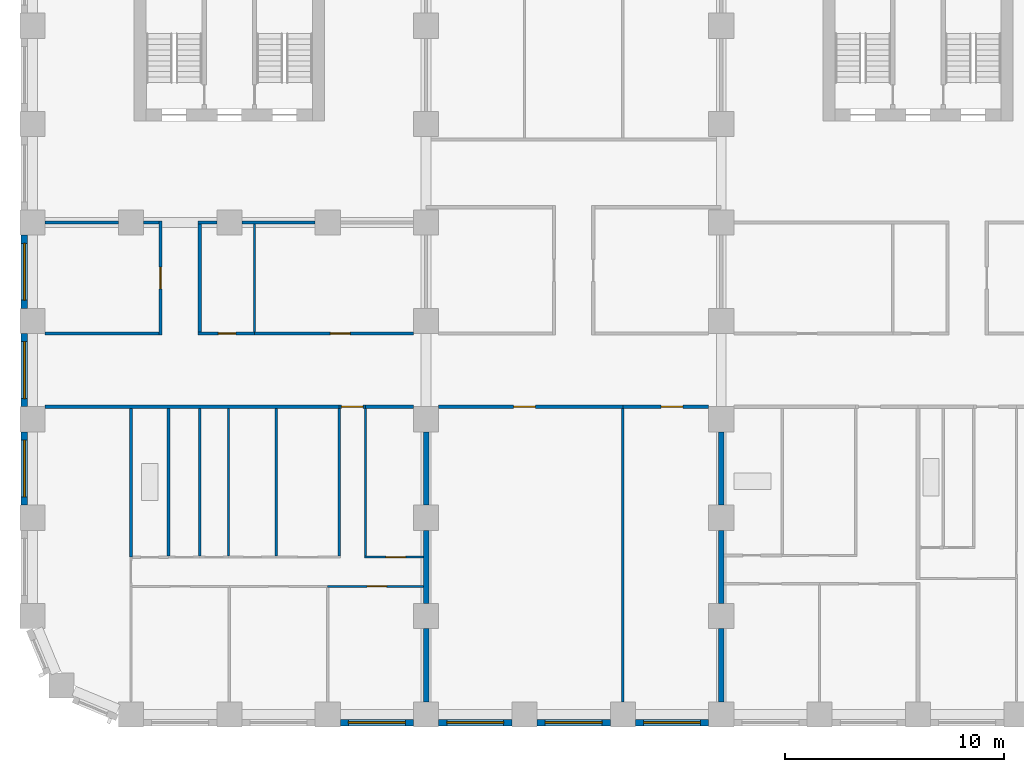
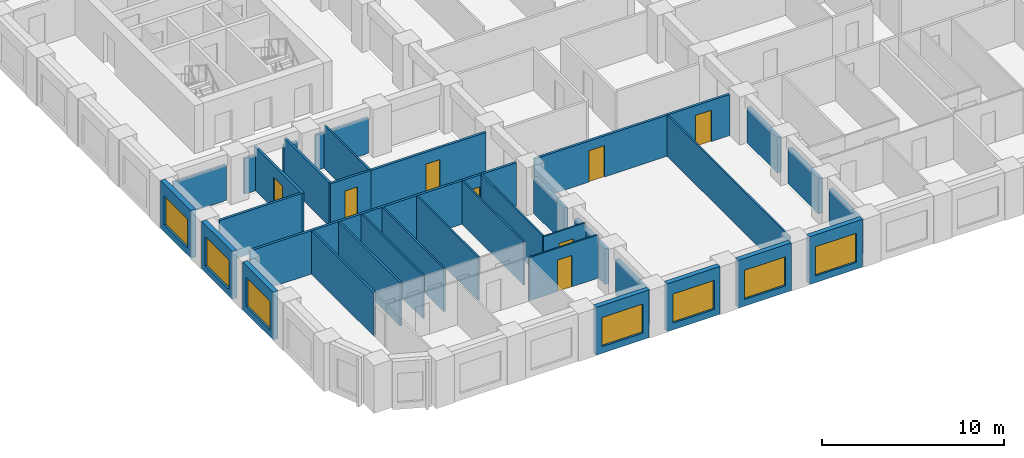
# One storey, part 3 of 13: 38 walls, 8 doors, 7 windows, 15 openings.
"""IFC4 building model written with IfcOpenShell, lengths in metres."""

from ifc_helpers import new_model, si_unit, direction, frame, frame_2d, origin, place, context, subcontext, project, spatial, rectangle, extrude, material, layer, layer_set, type_object, element, fill, save


model = new_model("IFC4")

# Units and contexts
model_context = context("Model", 3, precision=1e-05, world=origin(), true_north=direction((0.0, 1.0)))
body_context = subcontext(model_context, "Body", "Model", "MODEL_VIEW")
ifc_project = project(units=[si_unit("LENGTHUNIT", "METRE"), si_unit("AREAUNIT", "SQUARE_METRE"), si_unit("VOLUMEUNIT", "CUBIC_METRE"), si_unit("PLANEANGLEUNIT", "RADIAN"), si_unit("MASSUNIT", "GRAM", prefix="KILO")], contexts=[model_context])

# Site, building, storey
site_placement = place(None, origin())
site = spatial("IfcSite", under=ifc_project, at=site_placement, CompositionType="ELEMENT")
building_placement = place(site_placement, origin())
building = spatial("IfcBuilding", under=site, at=building_placement, Name="Girih Gate Residences", CompositionType="ELEMENT")
storey_placement = place(building_placement, frame((0.0, 0.0, 99.199951171875)))
storey = spatial("IfcBuildingStorey", under=building, at=storey_placement, Name="L27", CompositionType="ELEMENT", Elevation=99.199951171875)

# Walls
ifc_material_1 = material(Name="Gypsum board on steel studs", Category="steel")
ifc_layer_1 = layer(ifc_material_1, 0.25)
ifc_layer_set_1 = layer_set([ifc_layer_1], Name="Acoustic separating wall 250 mm")
wall_type_1 = type_object("IfcWallType", Name="Acoustic separating wall 250 mm", PredefinedType="PARTITIONING", material=ifc_layer_set_1)
for number, where, z_axis, x_axis, name in (
    (1, (18.0, 5.074951171875, 0.0), (0.0, 0.0, 1.0), (0.0, 1.0, 0.0), "L27 partition"),
    (2, (18.0, 0.574951171875, 0.0), (0.0, 0.0, 1.0), (0.0, 1.0, 0.0), "L27 partition"),
    (3, (18.0, 9.574951171875, 0.0), (0.0, 0.0, 1.0), (0.0, 1.0, 0.0), "L27 partition"),
    (4, (31.5, 9.574951171875, 0.0), (0.0, 0.0, 1.0), (0.0, 1.0, 0.0), "L27 partition"),
    (5, (31.5, 0.574951171875, 0.0), (0.0, 0.0, 1.0), (0.0, 1.0, 0.0), "L27 partition"),
    (6, (31.5, 5.074951171875, 0.0), (0.0, 0.0, 1.0), (0.0, 1.0, 0.0), "L27 partition"),
):
    element("IfcWall", number, at=place(storey_placement, frame(where, z_axis=z_axis, x_axis=x_axis)), inside=storey, type_object=wall_type_1, Name=name, PredefinedType="PARTITIONING", context=body_context, shape_type="SweptSolid", body=[
        extrude(rectangle(XDim=3.35009765625, YDim=0.25, at=frame_2d((1.675048828125, 0.0))), origin(), (0.0, 0.0, 1.0), 2.380126953125),
    ])

# Wall, opening, door
ifc_layer_2 = layer(ifc_material_1, 0.14990234375)
ifc_layer_set_2 = layer_set([ifc_layer_2], Name="Compartment wall 150 mm")
wall_type_2 = type_object("IfcWallType", Name="Compartment wall 150 mm", PredefinedType="PARTITIONING", material=ifc_layer_set_2)
wall_1_placement = place(storey_placement, frame((15.22509765625, 14.074951171875, 0.0), z_axis=(0.0, 0.0, 1.0), x_axis=(-1.0, 0.0, 0.0)))
wall_1 = element("IfcWall", 7, at=wall_1_placement, inside=storey, type_object=wall_type_2, Name="L27 partition", PredefinedType="PARTITIONING", context=body_context, shape_type="SweptSolid", body=[
    extrude(rectangle(XDim=1.2001953125, YDim=0.14990234375, at=frame_2d((0.60009765625, 0.0))), origin(), (0.0, 0.0, 1.0), 2.900146484375),
])
opening_1_placement = place(wall_1_placement, frame((0.10009765625, 0.0, 0.0)))
opening_1 = element("IfcOpeningElement", 8, at=opening_1_placement, cuts=wall_1, Name="Opening A27-011", PredefinedType="OPENING", context=body_context, shape_type="SweptSolid", body=[
    extrude(rectangle(XDim=1.0, YDim=2.10009765625, at=frame_2d((0.5, 1.050048828125))), frame((0.0, 0.0849609375, 0.0), z_axis=(0.0, -1.0, 0.0), x_axis=(1.0, 0.0, 0.0)), (0.0, 0.0, 1.0), 0.169921875),
])
ifc_material_2 = material(Name="Timber, fire-rated core", Category="wood")
door_type_1 = type_object("IfcDoorType", Name="Flat entrance door 1000x2100 FD30S", OperationType="NOTDEFINED", PredefinedType="DOOR", material=ifc_material_2)
door_1_placement = place(opening_1_placement, origin())
door_1 = element("IfcDoor", 9, at=door_1_placement, inside=storey, type_object=door_type_1, Name="Door A27-011", OperationType="SINGLE_SWING_RIGHT", OverallHeight=2.10009765625, OverallWidth=1.0, PredefinedType="DOOR", context=body_context, shape_type="SweptSolid", body=[
    extrude(rectangle(XDim=1.0, YDim=2.10009765625, at=frame_2d((0.5, 1.050048828125))), frame((0.0, 0.02490234375, 0.0), z_axis=(0.0, -1.0, 0.0), x_axis=(1.0, 0.0, 0.0)), (0.0, 0.0, 1.0), 0.050048828125),
])
fill(opening_1, door_1)

# Walls
wall_2_placement = place(storey_placement, frame((15.22509765625, 14.074951171875, 0.0), z_axis=(0.0, 0.0, 1.0), x_axis=(1.0, 0.0, 0.0)))
element("IfcWall", 10, at=wall_2_placement, inside=storey, type_object=wall_type_2, Name="L27 partition", PredefinedType="PARTITIONING", context=body_context, shape_type="SweptSolid", body=[
    extrude(rectangle(XDim=2.199951171875, YDim=0.14990234375, at=frame_2d((1.10009765625, 0.0))), origin(), (0.0, 0.0, 1.0), 2.900146484375),
])
wall_3_placement = place(storey_placement, frame((0.574951171875, 14.074951171875, 0.0), z_axis=(0.0, 0.0, 1.0), x_axis=(1.0, 0.0, 0.0)))
element("IfcWall", 11, at=wall_3_placement, inside=storey, type_object=wall_type_2, Name="L27 partition", PredefinedType="PARTITIONING", context=body_context, shape_type="SweptSolid", body=[
    extrude(rectangle(XDim=13.449951171875, YDim=0.14990234375, at=frame_2d((6.72509765625, 0.0))), origin(), (0.0, 0.0, 1.0), 2.900146484375),
])

# Wall, opening, door
wall_4_placement = place(storey_placement, frame((27.0, 14.074951171875, 0.0), z_axis=(0.0, 0.0, 1.0), x_axis=(-1.0, 0.0, 0.0)))
wall_4 = element("IfcWall", 12, at=wall_4_placement, inside=storey, type_object=wall_type_2, Name="L27 partition", PredefinedType="PARTITIONING", context=body_context, shape_type="SweptSolid", body=[
    extrude(rectangle(XDim=8.425048828125, YDim=0.14990234375, at=frame_2d((4.21240234375, 0.0))), origin(), (0.0, 0.0, 1.0), 2.75),
])
opening_2_placement = place(wall_4_placement, frame((4.0, 0.0, 0.0)))
opening_2 = element("IfcOpeningElement", 13, at=opening_2_placement, cuts=wall_4, Name="Opening A27-046", PredefinedType="OPENING", context=body_context, shape_type="SweptSolid", body=[
    extrude(rectangle(XDim=1.0, YDim=2.10009765625, at=frame_2d((0.5, 1.050048828125))), frame((0.0, 0.0849609375, 0.0), z_axis=(0.0, -1.0, 0.0), x_axis=(1.0, 0.0, 0.0)), (0.0, 0.0, 1.0), 0.169921875),
])
door_type_2 = type_object("IfcDoorType", Name="Amenity room door 1000x2100 FD30S", OperationType="NOTDEFINED", PredefinedType="DOOR", material=ifc_material_2)
door_2_placement = place(opening_2_placement, origin())
door_2 = element("IfcDoor", 14, at=door_2_placement, inside=storey, type_object=door_type_2, Name="Door A27-046", OperationType="SINGLE_SWING_RIGHT", OverallHeight=2.10009765625, OverallWidth=1.0, PredefinedType="DOOR", context=body_context, shape_type="SweptSolid", body=[
    extrude(rectangle(XDim=1.0, YDim=2.10009765625, at=frame_2d((0.5, 1.050048828125))), frame((0.0, 0.02490234375, 0.0), z_axis=(0.0, -1.0, 0.0), x_axis=(1.0, 0.0, 0.0)), (0.0, 0.0, 1.0), 0.050048828125),
])
fill(opening_2, door_2)

wall_5_placement = place(storey_placement, frame((30.925048828125, 14.074951171875, 0.0), z_axis=(0.0, 0.0, 1.0), x_axis=(-1.0, 0.0, 0.0)))
wall_5 = element("IfcWall", 15, at=wall_5_placement, inside=storey, type_object=wall_type_2, Name="L27 partition", PredefinedType="PARTITIONING", context=body_context, shape_type="SweptSolid", body=[
    extrude(rectangle(XDim=3.925048828125, YDim=0.14990234375, at=frame_2d((1.96240234375, 0.0))), origin(), (0.0, 0.0, 1.0), 2.75),
])
opening_3_placement = place(wall_5_placement, frame((1.175048828125, 0.0, 0.0)))
opening_3 = element("IfcOpeningElement", 16, at=opening_3_placement, cuts=wall_5, Name="Opening A27-047", PredefinedType="OPENING", context=body_context, shape_type="SweptSolid", body=[
    extrude(rectangle(XDim=1.0, YDim=2.10009765625, at=frame_2d((0.5, 1.050048828125))), frame((0.0, 0.0849609375, 0.0), z_axis=(0.0, -1.0, 0.0), x_axis=(1.0, 0.0, 0.0)), (0.0, 0.0, 1.0), 0.169921875),
])
door_3_placement = place(opening_3_placement, origin())
door_3 = element("IfcDoor", 17, at=door_3_placement, inside=storey, type_object=door_type_2, Name="Door A27-047", OperationType="SINGLE_SWING_LEFT", OverallHeight=2.10009765625, OverallWidth=1.0, PredefinedType="DOOR", context=body_context, shape_type="SweptSolid", body=[
    extrude(rectangle(XDim=1.0, YDim=2.10009765625, at=frame_2d((0.5, 1.050048828125))), frame((0.0, 0.02490234375, 0.0), z_axis=(0.0, -1.0, 0.0), x_axis=(1.0, 0.0, 0.0)), (0.0, 0.0, 1.0), 0.050048828125),
])
fill(opening_3, door_3)

wall_6_placement = place(storey_placement, frame((10.14990234375, 17.425048828125, 0.0), z_axis=(0.0, 0.0, 1.0), x_axis=(1.0, 0.0, 0.0)))
wall_6 = element("IfcWall", 18, at=wall_6_placement, inside=storey, type_object=wall_type_2, Name="L27 partition", PredefinedType="PARTITIONING", context=body_context, shape_type="SweptSolid", body=[
    extrude(rectangle(XDim=7.275146484375, YDim=0.14990234375, at=frame_2d((3.6376953125, 0.0))), origin(), (0.0, 0.0, 1.0), 2.900146484375),
])
opening_4_placement = place(wall_6_placement, frame((3.47509765625, 0.0, 0.0)))
opening_4 = element("IfcOpeningElement", 19, at=opening_4_placement, cuts=wall_6, Name="Opening A27-051", PredefinedType="OPENING", context=body_context, shape_type="SweptSolid", body=[
    extrude(rectangle(XDim=0.89990234375, YDim=2.10009765625, at=frame_2d((0.449951171875, 1.050048828125))), frame((0.0, 0.0849609375, 0.0), z_axis=(0.0, -1.0, 0.0), x_axis=(1.0, 0.0, 0.0)), (0.0, 0.0, 1.0), 0.169921875),
])
ifc_material_3 = material(Name="Timber", Category="wood")
door_type_3 = type_object("IfcDoorType", Name="Service room door 900x2100", OperationType="NOTDEFINED", PredefinedType="DOOR", material=ifc_material_3)
door_4_placement = place(opening_4_placement, origin())
door_4 = element("IfcDoor", 20, at=door_4_placement, inside=storey, type_object=door_type_3, Name="Door A27-051", OperationType="SINGLE_SWING_RIGHT", OverallHeight=2.10009765625, OverallWidth=0.89990234375, PredefinedType="DOOR", context=body_context, shape_type="SweptSolid", body=[
    extrude(rectangle(XDim=0.89990234375, YDim=2.10009765625, at=frame_2d((0.449951171875, 1.050048828125))), frame((0.0, 0.02490234375, 0.0), z_axis=(0.0, -1.0, 0.0), x_axis=(1.0, 0.0, 0.0)), (0.0, 0.0, 1.0), 0.050048828125),
])
fill(opening_4, door_4)

wall_7_placement = place(storey_placement, frame((7.574951171875, 17.425048828125, 0.0), z_axis=(0.0, 0.0, 1.0), x_axis=(1.0, 0.0, 0.0)))
wall_7 = element("IfcWall", 21, at=wall_7_placement, inside=storey, type_object=wall_type_2, Name="L27 partition", PredefinedType="PARTITIONING", context=body_context, shape_type="SweptSolid", body=[
    extrude(rectangle(XDim=2.574951171875, YDim=0.14990234375, at=frame_2d((1.28759765625, 0.0))), origin(), (0.0, 0.0, 1.0), 2.900146484375),
])
opening_5_placement = place(wall_7_placement, frame((0.925048828125, 0.0, 0.0)))
opening_5 = element("IfcOpeningElement", 22, at=opening_5_placement, cuts=wall_7, Name="Opening A27-053", PredefinedType="OPENING", context=body_context, shape_type="SweptSolid", body=[
    extrude(rectangle(XDim=0.800048828125, YDim=2.10009765625, at=frame_2d((0.39990234375, 1.050048828125))), frame((0.0, 0.0849609375, 0.0), z_axis=(0.0, -1.0, 0.0), x_axis=(1.0, 0.0, 0.0)), (0.0, 0.0, 1.0), 0.169921875),
])
door_type_4 = type_object("IfcDoorType", Name="Bathroom door 800x2100", OperationType="NOTDEFINED", PredefinedType="DOOR", material=ifc_material_3)
door_5_placement = place(opening_5_placement, origin())
door_5 = element("IfcDoor", 23, at=door_5_placement, inside=storey, type_object=door_type_4, Name="Door A27-053", OperationType="SINGLE_SWING_RIGHT", OverallHeight=2.10009765625, OverallWidth=0.800048828125, PredefinedType="DOOR", context=body_context, shape_type="SweptSolid", body=[
    extrude(rectangle(XDim=0.800048828125, YDim=2.10009765625, at=frame_2d((0.39990234375, 1.050048828125))), frame((0.0, 0.02490234375, 0.0), z_axis=(0.0, -1.0, 0.0), x_axis=(1.0, 0.0, 0.0)), (0.0, 0.0, 1.0), 0.050048828125),
])
fill(opening_5, door_5)

# Walls
wall_8_placement = place(storey_placement, frame((0.574951171875, 17.425048828125, 0.0), z_axis=(0.0, 0.0, 1.0), x_axis=(1.0, 0.0, 0.0)))
element("IfcWall", 24, at=wall_8_placement, inside=storey, type_object=wall_type_2, Name="L27 partition", PredefinedType="PARTITIONING", context=body_context, shape_type="SweptSolid", body=[
    extrude(rectangle(XDim=5.199951171875, YDim=0.14990234375, at=frame_2d((2.60009765625, 0.0))), origin(), (0.0, 0.0, 1.0), 2.900146484375),
])
wall_9_placement = place(storey_placement, frame((9.574951171875, 22.5, 0.0), z_axis=(0.0, 0.0, 1.0), x_axis=(1.0, 0.0, 0.0)))
element("IfcWall", 25, at=wall_9_placement, inside=storey, type_object=wall_type_2, Name="L27 partition", PredefinedType="PARTITIONING", context=body_context, shape_type="SweptSolid", body=[
    extrude(rectangle(XDim=3.35009765625, YDim=0.14990234375, at=frame_2d((1.675048828125, 0.0))), origin(), (0.0, 0.0, 1.0), 2.380126953125),
])
wall_10_placement = place(storey_placement, frame((7.574951171875, 22.5, 0.0), z_axis=(0.0, 0.0, 1.0), x_axis=(1.0, 0.0, 0.0)))
element("IfcWall", 26, at=wall_10_placement, inside=storey, type_object=wall_type_2, Name="L27 partition", PredefinedType="PARTITIONING", context=body_context, shape_type="SweptSolid", body=[
    extrude(rectangle(XDim=0.85009765625, YDim=0.14990234375, at=frame_2d((0.425048828125, 0.0))), origin(), (0.0, 0.0, 1.0), 2.380126953125),
])
wall_11_placement = place(storey_placement, frame((5.074951171875, 22.5, 0.0), z_axis=(0.0, 0.0, 1.0), x_axis=(1.0, 0.0, 0.0)))
element("IfcWall", 27, at=wall_11_placement, inside=storey, type_object=wall_type_2, Name="L27 partition", PredefinedType="PARTITIONING", context=body_context, shape_type="SweptSolid", body=[
    extrude(rectangle(XDim=0.699951171875, YDim=0.14990234375, at=frame_2d((0.35009765625, 0.0))), origin(), (0.0, 0.0, 1.0), 2.380126953125),
])
wall_12_placement = place(storey_placement, frame((0.574951171875, 22.5, 0.0), z_axis=(0.0, 0.0, 1.0), x_axis=(1.0, 0.0, 0.0)))
element("IfcWall", 28, at=wall_12_placement, inside=storey, type_object=wall_type_2, Name="L27 partition", PredefinedType="PARTITIONING", context=body_context, shape_type="SweptSolid", body=[
    extrude(rectangle(XDim=3.35009765625, YDim=0.14990234375, at=frame_2d((1.675048828125, 0.0))), origin(), (0.0, 0.0, 1.0), 2.380126953125),
])
wall_13_placement = place(storey_placement, frame((7.64990234375, 17.5, 0.0), z_axis=(0.0, 0.0, 1.0), x_axis=(0.0, 1.0, 0.0)))
element("IfcWall", 29, at=wall_13_placement, inside=storey, type_object=wall_type_2, Name="L27 partition", PredefinedType="PARTITIONING", context=body_context, shape_type="SweptSolid", body=[
    extrude(rectangle(XDim=4.925048828125, YDim=0.14990234375, at=frame_2d((2.46240234375, 0.0))), origin(), (0.0, 0.0, 1.0), 2.900146484375),
])

# Wall, opening, door
wall_14_placement = place(storey_placement, frame((5.85009765625, 17.35009765625, 0.0), z_axis=(0.0, 0.0, 1.0), x_axis=(0.0, 1.0, 0.0)))
wall_14 = element("IfcWall", 30, at=wall_14_placement, inside=storey, type_object=wall_type_2, Name="L27 partition", PredefinedType="PARTITIONING", context=body_context, shape_type="SweptSolid", body=[
    extrude(rectangle(XDim=5.224853515625, YDim=0.14990234375, at=frame_2d((2.6123046875, 0.0))), origin(), (0.0, 0.0, 1.0), 2.900146484375),
])
opening_6_placement = place(wall_14_placement, frame((2.112548828125, 0.0, 0.0)))
opening_6 = element("IfcOpeningElement", 31, at=opening_6_placement, cuts=wall_14, Name="Opening A27-055", PredefinedType="OPENING", context=body_context, shape_type="SweptSolid", body=[
    extrude(rectangle(XDim=1.0, YDim=2.10009765625, at=frame_2d((0.5, 1.050048828125))), frame((0.0, 0.0849609375, 0.0), z_axis=(0.0, -1.0, 0.0), x_axis=(1.0, 0.0, 0.0)), (0.0, 0.0, 1.0), 0.169921875),
])
door_6_placement = place(opening_6_placement, origin())
door_6 = element("IfcDoor", 32, at=door_6_placement, inside=storey, type_object=door_type_2, Name="Door A27-055", OperationType="SINGLE_SWING_LEFT", OverallHeight=2.10009765625, OverallWidth=1.0, PredefinedType="DOOR", context=body_context, shape_type="SweptSolid", body=[
    extrude(rectangle(XDim=1.0, YDim=2.10009765625, at=frame_2d((0.5, 1.050048828125))), frame((0.0, 0.02490234375, 0.0), z_axis=(0.0, -1.0, 0.0), x_axis=(1.0, 0.0, 0.0)), (0.0, 0.0, 1.0), 0.050048828125),
])
fill(opening_6, door_6)

ifc_layer_3 = layer(ifc_material_1, 0.10009765625)
ifc_layer_set_3 = layer_set([ifc_layer_3], Name="Partition 100 mm")
wall_type_3 = type_object("IfcWallType", Name="Partition 100 mm", PredefinedType="PARTITIONING", material=ifc_layer_set_3)
wall_15_placement = place(storey_placement, frame((17.875, 5.85498046875, 0.0), z_axis=(0.0, 0.0, 1.0), x_axis=(-1.0, 0.0, 0.0)))
wall_15 = element("IfcWall", 33, at=wall_15_placement, inside=storey, type_object=wall_type_3, Name="L27 partition", PredefinedType="PARTITIONING", context=body_context, shape_type="SweptSolid", body=[
    extrude(rectangle(XDim=4.375, YDim=0.10009765625, at=frame_2d((2.1875, 0.0))), origin(), (0.0, 0.0, 1.0), 2.900146484375),
])
opening_7_placement = place(wall_15_placement, frame((1.675048828125, 0.0, 0.0)))
opening_7 = element("IfcOpeningElement", 34, at=opening_7_placement, cuts=wall_15, Name="Opening A27-004", PredefinedType="OPENING", context=body_context, shape_type="SweptSolid", body=[
    extrude(rectangle(XDim=0.89990234375, YDim=2.10009765625, at=frame_2d((0.449951171875, 1.050048828125))), frame((0.0, 0.06005859375, 0.0), z_axis=(0.0, -1.0, 0.0), x_axis=(1.0, 0.0, 0.0)), (0.0, 0.0, 1.0), 0.1201171875),
])
door_type_5 = type_object("IfcDoorType", Name="Bedroom door 900x2100", OperationType="NOTDEFINED", PredefinedType="DOOR", material=ifc_material_3)
door_7_placement = place(opening_7_placement, origin())
door_7 = element("IfcDoor", 35, at=door_7_placement, inside=storey, type_object=door_type_5, Name="Door A27-004", OperationType="SINGLE_SWING_LEFT", OverallHeight=2.10009765625, OverallWidth=0.89990234375, PredefinedType="DOOR", context=body_context, shape_type="SweptSolid", body=[
    extrude(rectangle(XDim=0.89990234375, YDim=2.10009765625, at=frame_2d((0.449951171875, 1.050048828125))), frame((0.0, 0.02490234375, 0.0), z_axis=(0.0, -1.0, 0.0), x_axis=(1.0, 0.0, 0.0)), (0.0, 0.0, 1.0), 0.050048828125),
])
fill(opening_7, door_7)

# Walls
for number, where, z_axis, x_axis, name in (
    (36, (8.965087890625, 7.2451171875, 0.0), (0.0, 0.0, 1.0), (0.0, 1.0, 0.0), "L27 partition"),
    (37, (11.14501953125, 7.2451171875, 0.0), (0.0, 0.0, 1.0), (0.0, 1.0, 0.0), "L27 partition"),
    (38, (15.22509765625, 7.2451171875, 0.0), (0.0, 0.0, 1.0), (0.0, 1.0, 0.0), "L27 partition"),
):
    element("IfcWall", number, at=place(storey_placement, frame(where, z_axis=z_axis, x_axis=x_axis)), inside=storey, type_object=wall_type_3, Name=name, PredefinedType="PARTITIONING", context=body_context, shape_type="SweptSolid", body=[
        extrude(rectangle(XDim=6.7548828125, YDim=0.10009765625, at=frame_2d((3.37744140625, 0.0))), origin(), (0.0, 0.0, 1.0), 2.900146484375),
    ])

# Wall, opening, door
wall_16_placement = place(storey_placement, frame((15.175048828125, 7.195068359375, 0.0), z_axis=(0.0, 0.0, 1.0), x_axis=(1.0, 0.0, 0.0)))
wall_16 = element("IfcWall", 39, at=wall_16_placement, inside=storey, type_object=wall_type_3, Name="L27 partition", PredefinedType="PARTITIONING", context=body_context, shape_type="SweptSolid", body=[
    extrude(rectangle(XDim=2.699951171875, YDim=0.10009765625, at=frame_2d((1.35009765625, 0.0))), origin(), (0.0, 0.0, 1.0), 2.900146484375),
])
opening_8_placement = place(wall_16_placement, frame((0.987548828125, 0.0, 0.0)))
opening_8 = element("IfcOpeningElement", 40, at=opening_8_placement, cuts=wall_16, Name="Opening A27-006", PredefinedType="OPENING", context=body_context, shape_type="SweptSolid", body=[
    extrude(rectangle(XDim=0.89990234375, YDim=2.10009765625, at=frame_2d((0.449951171875, 1.050048828125))), frame((0.0, 0.06005859375, 0.0), z_axis=(0.0, -1.0, 0.0), x_axis=(1.0, 0.0, 0.0)), (0.0, 0.0, 1.0), 0.1201171875),
])
door_type_6 = type_object("IfcDoorType", Name="Kitchen door 900x2100", OperationType="NOTDEFINED", PredefinedType="DOOR", material=ifc_material_3)
door_8_placement = place(opening_8_placement, origin())
door_8 = element("IfcDoor", 41, at=door_8_placement, inside=storey, type_object=door_type_6, Name="Door A27-006", OperationType="SINGLE_SWING_RIGHT", OverallHeight=2.10009765625, OverallWidth=0.89990234375, PredefinedType="DOOR", context=body_context, shape_type="SweptSolid", body=[
    extrude(rectangle(XDim=0.89990234375, YDim=2.10009765625, at=frame_2d((0.449951171875, 1.050048828125))), frame((0.0, 0.02490234375, 0.0), z_axis=(0.0, -1.0, 0.0), x_axis=(1.0, 0.0, 0.0)), (0.0, 0.0, 1.0), 0.050048828125),
])
fill(opening_8, door_8)

# Walls
for number, where, z_axis, x_axis, name in (
    (42, (14.02490234375, 7.2451171875, 0.0), (0.0, 0.0, 1.0), (0.0, 1.0, 0.0), "L27 partition"),
    (43, (7.64697265625, 7.2451171875, 0.0), (0.0, 0.0, 1.0), (0.0, 1.0, 0.0), "L27 partition"),
):
    element("IfcWall", number, at=place(storey_placement, frame(where, z_axis=z_axis, x_axis=x_axis)), inside=storey, type_object=wall_type_3, Name=name, PredefinedType="PARTITIONING", context=body_context, shape_type="SweptSolid", body=[
        extrude(rectangle(XDim=6.7548828125, YDim=0.10009765625, at=frame_2d((3.37744140625, 0.0))), origin(), (0.0, 0.0, 1.0), 2.900146484375),
    ])
wall_17_placement = place(storey_placement, frame((27.0, 0.574951171875, 0.0), z_axis=(0.0, 0.0, 1.0), x_axis=(0.0, 1.0, 0.0)))
element("IfcWall", 44, at=wall_17_placement, inside=storey, type_object=wall_type_3, Name="L27 partition", PredefinedType="PARTITIONING", context=body_context, shape_type="SweptSolid", body=[
    extrude(rectangle(XDim=13.425048828125, YDim=0.10009765625, at=frame_2d((6.71240234375, 0.0))), origin(), (0.0, 0.0, 1.0), 2.75),
])
wall_18_placement = place(storey_placement, frame((10.14990234375, 17.5, 0.0), z_axis=(0.0, 0.0, 1.0), x_axis=(0.0, 1.0, 0.0)))
element("IfcWall", 45, at=wall_18_placement, inside=storey, type_object=wall_type_3, Name="L27 partition", PredefinedType="PARTITIONING", context=body_context, shape_type="SweptSolid", body=[
    extrude(rectangle(XDim=4.925048828125, YDim=0.10009765625, at=frame_2d((2.46240234375, 0.0))), origin(), (0.0, 0.0, 1.0), 2.900146484375),
])

# Wall, opening, window
ifc_material_4 = material(Name="Precast concrete C50/60", Category="concrete")
ifc_layer_4 = layer(ifc_material_4, 0.080078125, Name="Outer leaf")
ifc_material_5 = material(Name="Rigid PIR insulation")
ifc_layer_5 = layer(ifc_material_5, 0.14990234375, Name="Insulation")
ifc_material_6 = material(Name="Precast concrete C40/50", Category="concrete")
ifc_layer_6 = layer(ifc_material_6, 0.070068359375, Name="Inner leaf")
ifc_layer_set_4 = layer_set([ifc_layer_4, ifc_layer_5, ifc_layer_6], Name="Precast concrete C50/60 external wall 300")
wall_type_4 = type_object("IfcWallType", Name="Precast concrete C50/60 external wall 300", PredefinedType="SOLIDWALL", material=ifc_layer_set_4)
wall_19_placement = place(storey_placement, frame((17.425048828125, -0.375, 0.0), z_axis=(0.0, 0.0, 1.0), x_axis=(-1.0, 0.0, 0.0)))
wall_19 = element("IfcWall", 46, at=wall_19_placement, inside=storey, type_object=wall_type_4, Name="External wall S0045_0000.2", PredefinedType="SOLIDWALL", context=body_context, shape_type="SweptSolid", body=[
    extrude(rectangle(XDim=3.35009765625, YDim=0.300048828125, at=frame_2d((1.675048828125, 0.0))), origin(), (0.0, 0.0, 1.0), 3.199951171875),
])
opening_9_placement = place(wall_19_placement, frame((0.375, 0.0, 0.449951171875)))
opening_9 = element("IfcOpeningElement", 47, at=opening_9_placement, cuts=wall_19, Name="Opening W-1A", PredefinedType="OPENING", context=body_context, shape_type="SweptSolid", body=[
    extrude(rectangle(XDim=2.60009765625, YDim=1.949951171875, at=frame_2d((1.300048828125, 0.97509765625))), frame((0.0, 0.159912109375, 0.0), z_axis=(0.0, -1.0, 0.0), x_axis=(1.0, 0.0, 0.0)), (0.0, 0.0, 1.0), 0.320068359375),
])
ifc_material_7 = material(Name="Double glazing in aluminium frame", Category="aluminium")
window_type = type_object("IfcWindowType", Name="Window W-1A 2600x1950", PartitioningType="SINGLE_PANEL", PredefinedType="WINDOW", material=ifc_material_7)
window_1_placement = place(opening_9_placement, origin())
window_1 = element("IfcWindow", 48, at=window_1_placement, inside=storey, type_object=window_type, Name="Window W-1A S0045_0000.2", OverallHeight=1.949951171875, OverallWidth=2.60009765625, PartitioningType="SINGLE_PANEL", PredefinedType="WINDOW", context=body_context, shape_type="SweptSolid", body=[
    extrude(rectangle(XDim=2.60009765625, YDim=1.949951171875, at=frame_2d((1.300048828125, 0.97509765625))), frame((0.0, 0.030029296875, 0.0), z_axis=(0.0, -1.0, 0.0), x_axis=(1.0, 0.0, 0.0)), (0.0, 0.0, 1.0), 0.06005859375),
])
fill(opening_9, window_1)

wall_20_placement = place(storey_placement, frame((21.925048828125, -0.375, 0.0), z_axis=(0.0, 0.0, 1.0), x_axis=(-1.0, 0.0, 0.0)))
wall_20 = element("IfcWall", 49, at=wall_20_placement, inside=storey, type_object=wall_type_4, Name="External wall S0045_0000.3", PredefinedType="SOLIDWALL", context=body_context, shape_type="SweptSolid", body=[
    extrude(rectangle(XDim=3.35009765625, YDim=0.300048828125, at=frame_2d((1.675048828125, 0.0))), origin(), (0.0, 0.0, 1.0), 3.199951171875),
])
opening_10_placement = place(wall_20_placement, frame((0.375, 0.0, 0.449951171875)))
opening_10 = element("IfcOpeningElement", 50, at=opening_10_placement, cuts=wall_20, Name="Opening W-1A", PredefinedType="OPENING", context=body_context, shape_type="SweptSolid", body=[
    extrude(rectangle(XDim=2.60009765625, YDim=1.949951171875, at=frame_2d((1.300048828125, 0.97509765625))), frame((0.0, 0.159912109375, 0.0), z_axis=(0.0, -1.0, 0.0), x_axis=(1.0, 0.0, 0.0)), (0.0, 0.0, 1.0), 0.320068359375),
])
window_2_placement = place(opening_10_placement, origin())
window_2 = element("IfcWindow", 51, at=window_2_placement, inside=storey, type_object=window_type, Name="Window W-1A S0045_0000.3", OverallHeight=1.949951171875, OverallWidth=2.60009765625, PartitioningType="SINGLE_PANEL", PredefinedType="WINDOW", context=body_context, shape_type="SweptSolid", body=[
    extrude(rectangle(XDim=2.60009765625, YDim=1.949951171875, at=frame_2d((1.300048828125, 0.97509765625))), frame((0.0, 0.030029296875, 0.0), z_axis=(0.0, -1.0, 0.0), x_axis=(1.0, 0.0, 0.0)), (0.0, 0.0, 1.0), 0.06005859375),
])
fill(opening_10, window_2)

wall_21_placement = place(storey_placement, frame((26.425048828125, -0.375, 0.0), z_axis=(0.0, 0.0, 1.0), x_axis=(-1.0, 0.0, 0.0)))
wall_21 = element("IfcWall", 52, at=wall_21_placement, inside=storey, type_object=wall_type_4, Name="External wall S0045_0000.4", PredefinedType="SOLIDWALL", context=body_context, shape_type="SweptSolid", body=[
    extrude(rectangle(XDim=3.35009765625, YDim=0.300048828125, at=frame_2d((1.675048828125, 0.0))), origin(), (0.0, 0.0, 1.0), 3.199951171875),
])
opening_11_placement = place(wall_21_placement, frame((0.375, 0.0, 0.449951171875)))
opening_11 = element("IfcOpeningElement", 53, at=opening_11_placement, cuts=wall_21, Name="Opening W-1A", PredefinedType="OPENING", context=body_context, shape_type="SweptSolid", body=[
    extrude(rectangle(XDim=2.60009765625, YDim=1.949951171875, at=frame_2d((1.300048828125, 0.97509765625))), frame((0.0, 0.159912109375, 0.0), z_axis=(0.0, -1.0, 0.0), x_axis=(1.0, 0.0, 0.0)), (0.0, 0.0, 1.0), 0.320068359375),
])
window_3_placement = place(opening_11_placement, origin())
window_3 = element("IfcWindow", 54, at=window_3_placement, inside=storey, type_object=window_type, Name="Window W-1A S0045_0000.4", OverallHeight=1.949951171875, OverallWidth=2.60009765625, PartitioningType="SINGLE_PANEL", PredefinedType="WINDOW", context=body_context, shape_type="SweptSolid", body=[
    extrude(rectangle(XDim=2.60009765625, YDim=1.949951171875, at=frame_2d((1.300048828125, 0.97509765625))), frame((0.0, 0.030029296875, 0.0), z_axis=(0.0, -1.0, 0.0), x_axis=(1.0, 0.0, 0.0)), (0.0, 0.0, 1.0), 0.06005859375),
])
fill(opening_11, window_3)

wall_22_placement = place(storey_placement, frame((30.925048828125, -0.375, 0.0), z_axis=(0.0, 0.0, 1.0), x_axis=(-1.0, 0.0, 0.0)))
wall_22 = element("IfcWall", 55, at=wall_22_placement, inside=storey, type_object=wall_type_4, Name="External wall S0045_0000.5", PredefinedType="SOLIDWALL", context=body_context, shape_type="SweptSolid", body=[
    extrude(rectangle(XDim=3.35009765625, YDim=0.300048828125, at=frame_2d((1.675048828125, 0.0))), origin(), (0.0, 0.0, 1.0), 3.199951171875),
])
opening_12_placement = place(wall_22_placement, frame((0.375, 0.0, 0.449951171875)))
opening_12 = element("IfcOpeningElement", 56, at=opening_12_placement, cuts=wall_22, Name="Opening W-1A", PredefinedType="OPENING", context=body_context, shape_type="SweptSolid", body=[
    extrude(rectangle(XDim=2.60009765625, YDim=1.949951171875, at=frame_2d((1.300048828125, 0.97509765625))), frame((0.0, 0.159912109375, 0.0), z_axis=(0.0, -1.0, 0.0), x_axis=(1.0, 0.0, 0.0)), (0.0, 0.0, 1.0), 0.320068359375),
])
window_4_placement = place(opening_12_placement, origin())
window_4 = element("IfcWindow", 57, at=window_4_placement, inside=storey, type_object=window_type, Name="Window W-1A S0045_0000.5", OverallHeight=1.949951171875, OverallWidth=2.60009765625, PartitioningType="SINGLE_PANEL", PredefinedType="WINDOW", context=body_context, shape_type="SweptSolid", body=[
    extrude(rectangle(XDim=2.60009765625, YDim=1.949951171875, at=frame_2d((1.300048828125, 0.97509765625))), frame((0.0, 0.030029296875, 0.0), z_axis=(0.0, -1.0, 0.0), x_axis=(1.0, 0.0, 0.0)), (0.0, 0.0, 1.0), 0.06005859375),
])
fill(opening_12, window_4)

wall_23_placement = place(storey_placement, frame((-0.375, 18.574951171875, 0.0), z_axis=(0.0, 0.0, 1.0), x_axis=(0.0, 1.0, 0.0)))
wall_23 = element("IfcWall", 58, at=wall_23_placement, inside=storey, type_object=wall_type_4, Name="External wall W0000_0450.5", PredefinedType="SOLIDWALL", context=body_context, shape_type="SweptSolid", body=[
    extrude(rectangle(XDim=3.35009765625, YDim=0.300048828125, at=frame_2d((1.675048828125, 0.0))), origin(), (0.0, 0.0, 1.0), 3.199951171875),
])
opening_13_placement = place(wall_23_placement, frame((0.375, 0.0, 0.449951171875)))
opening_13 = element("IfcOpeningElement", 59, at=opening_13_placement, cuts=wall_23, Name="Opening W-1A", PredefinedType="OPENING", context=body_context, shape_type="SweptSolid", body=[
    extrude(rectangle(XDim=2.60009765625, YDim=1.949951171875, at=frame_2d((1.300048828125, 0.97509765625))), frame((0.0, 0.159912109375, 0.0), z_axis=(0.0, -1.0, 0.0), x_axis=(1.0, 0.0, 0.0)), (0.0, 0.0, 1.0), 0.320068359375),
])
window_5_placement = place(opening_13_placement, origin())
window_5 = element("IfcWindow", 60, at=window_5_placement, inside=storey, type_object=window_type, Name="Window W-1A W0000_0450.5", OverallHeight=1.949951171875, OverallWidth=2.60009765625, PartitioningType="SINGLE_PANEL", PredefinedType="WINDOW", context=body_context, shape_type="SweptSolid", body=[
    extrude(rectangle(XDim=2.60009765625, YDim=1.949951171875, at=frame_2d((1.300048828125, 0.97509765625))), frame((0.0, 0.030029296875, 0.0), z_axis=(0.0, -1.0, 0.0), x_axis=(1.0, 0.0, 0.0)), (0.0, 0.0, 1.0), 0.06005859375),
])
fill(opening_13, window_5)

wall_24_placement = place(storey_placement, frame((-0.375, 14.074951171875, 0.0), z_axis=(0.0, 0.0, 1.0), x_axis=(0.0, 1.0, 0.0)))
wall_24 = element("IfcWall", 61, at=wall_24_placement, inside=storey, type_object=wall_type_4, Name="External wall W0000_0450.6", PredefinedType="SOLIDWALL", context=body_context, shape_type="SweptSolid", body=[
    extrude(rectangle(XDim=3.35009765625, YDim=0.300048828125, at=frame_2d((1.675048828125, 0.0))), origin(), (0.0, 0.0, 1.0), 3.199951171875),
])
opening_14_placement = place(wall_24_placement, frame((0.375, 0.0, 0.449951171875)))
opening_14 = element("IfcOpeningElement", 62, at=opening_14_placement, cuts=wall_24, Name="Opening W-1A", PredefinedType="OPENING", context=body_context, shape_type="SweptSolid", body=[
    extrude(rectangle(XDim=2.60009765625, YDim=1.949951171875, at=frame_2d((1.300048828125, 0.97509765625))), frame((0.0, 0.159912109375, 0.0), z_axis=(0.0, -1.0, 0.0), x_axis=(1.0, 0.0, 0.0)), (0.0, 0.0, 1.0), 0.320068359375),
])
window_6_placement = place(opening_14_placement, origin())
window_6 = element("IfcWindow", 63, at=window_6_placement, inside=storey, type_object=window_type, Name="Window W-1A W0000_0450.6", OverallHeight=1.949951171875, OverallWidth=2.60009765625, PartitioningType="SINGLE_PANEL", PredefinedType="WINDOW", context=body_context, shape_type="SweptSolid", body=[
    extrude(rectangle(XDim=2.60009765625, YDim=1.949951171875, at=frame_2d((1.300048828125, 0.97509765625))), frame((0.0, 0.030029296875, 0.0), z_axis=(0.0, -1.0, 0.0), x_axis=(1.0, 0.0, 0.0)), (0.0, 0.0, 1.0), 0.06005859375),
])
fill(opening_14, window_6)

wall_25_placement = place(storey_placement, frame((-0.375, 9.574951171875, 0.0), z_axis=(0.0, 0.0, 1.0), x_axis=(0.0, 1.0, 0.0)))
wall_25 = element("IfcWall", 64, at=wall_25_placement, inside=storey, type_object=wall_type_4, Name="External wall W0000_0450.7", PredefinedType="SOLIDWALL", context=body_context, shape_type="SweptSolid", body=[
    extrude(rectangle(XDim=3.35009765625, YDim=0.300048828125, at=frame_2d((1.675048828125, 0.0))), origin(), (0.0, 0.0, 1.0), 3.199951171875),
])
opening_15_placement = place(wall_25_placement, frame((0.375, 0.0, 0.449951171875)))
opening_15 = element("IfcOpeningElement", 65, at=opening_15_placement, cuts=wall_25, Name="Opening W-1A", PredefinedType="OPENING", context=body_context, shape_type="SweptSolid", body=[
    extrude(rectangle(XDim=2.60009765625, YDim=1.949951171875, at=frame_2d((1.300048828125, 0.97509765625))), frame((0.0, 0.159912109375, 0.0), z_axis=(0.0, -1.0, 0.0), x_axis=(1.0, 0.0, 0.0)), (0.0, 0.0, 1.0), 0.320068359375),
])
window_7_placement = place(opening_15_placement, origin())
window_7 = element("IfcWindow", 66, at=window_7_placement, inside=storey, type_object=window_type, Name="Window W-1A W0000_0450.7", OverallHeight=1.949951171875, OverallWidth=2.60009765625, PartitioningType="SINGLE_PANEL", PredefinedType="WINDOW", context=body_context, shape_type="SweptSolid", body=[
    extrude(rectangle(XDim=2.60009765625, YDim=1.949951171875, at=frame_2d((1.300048828125, 0.97509765625))), frame((0.0, 0.030029296875, 0.0), z_axis=(0.0, -1.0, 0.0), x_axis=(1.0, 0.0, 0.0)), (0.0, 0.0, 1.0), 0.06005859375),
])
fill(opening_15, window_7)

# Walls
ifc_layer_7 = layer(ifc_material_1, 0.125)
ifc_layer_set_5 = layer_set([ifc_layer_7], Name="Wet room wall 125 mm")
wall_type_5 = type_object("IfcWallType", Name="Wet room wall 125 mm", PredefinedType="PARTITIONING", material=ifc_layer_set_5)
wall_26_placement = place(storey_placement, frame((4.5, 7.195068359375, 0.0), z_axis=(0.0, 0.0, 1.0), x_axis=(0.0, 1.0, 0.0)))
element("IfcWall", 67, at=wall_26_placement, inside=storey, type_object=wall_type_5, Name="L27 partition", PredefinedType="PARTITIONING", context=body_context, shape_type="SweptSolid", body=[
    extrude(rectangle(XDim=6.804931640625, YDim=0.125, at=frame_2d((3.40234375, 0.0))), origin(), (0.0, 0.0, 1.0), 2.900146484375),
])
wall_27_placement = place(storey_placement, frame((6.217041015625, 7.257568359375, 0.0), z_axis=(0.0, 0.0, 1.0), x_axis=(0.0, 1.0, 0.0)))
element("IfcWall", 68, at=wall_27_placement, inside=storey, type_object=wall_type_5, Name="L27 partition", PredefinedType="PARTITIONING", context=body_context, shape_type="SweptSolid", body=[
    extrude(rectangle(XDim=6.742431640625, YDim=0.125, at=frame_2d((3.37109375, 0.0))), origin(), (0.0, 0.0, 1.0), 2.900146484375),
])

save(model, "model.ifc")
